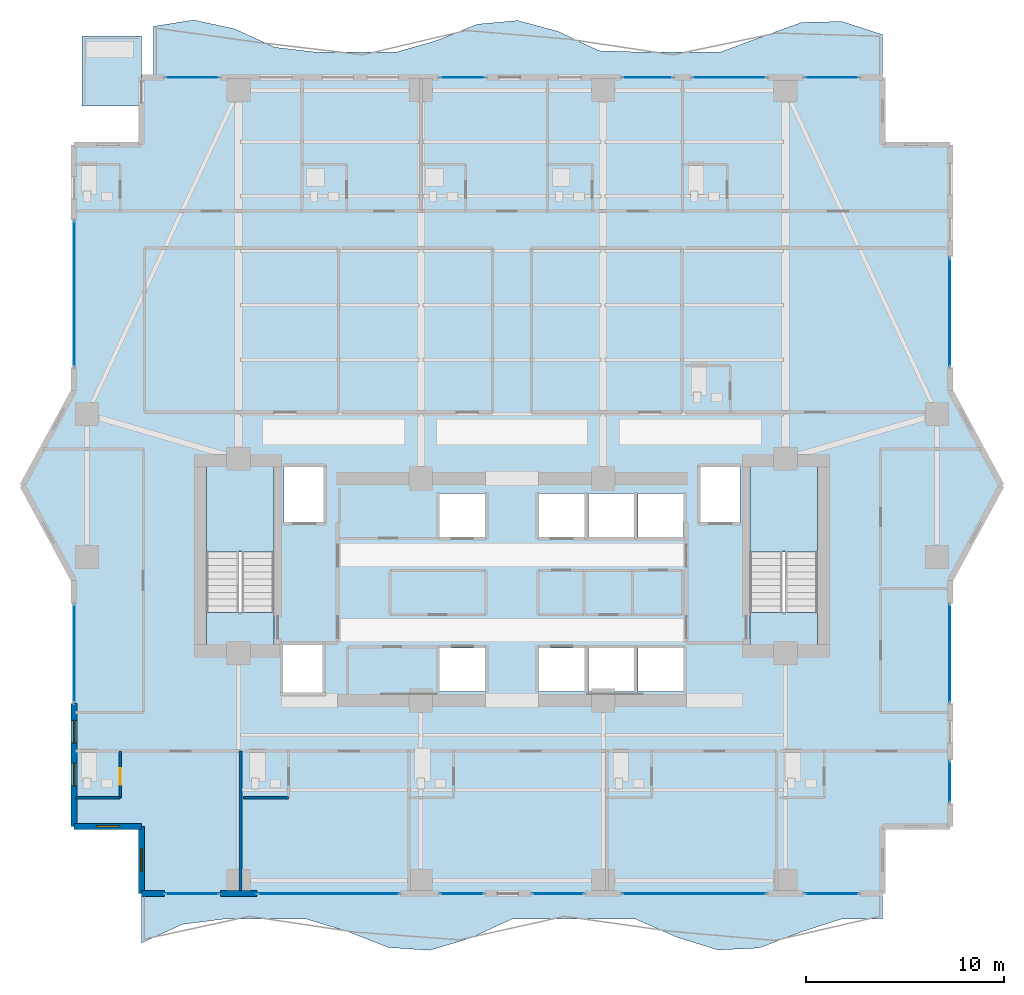
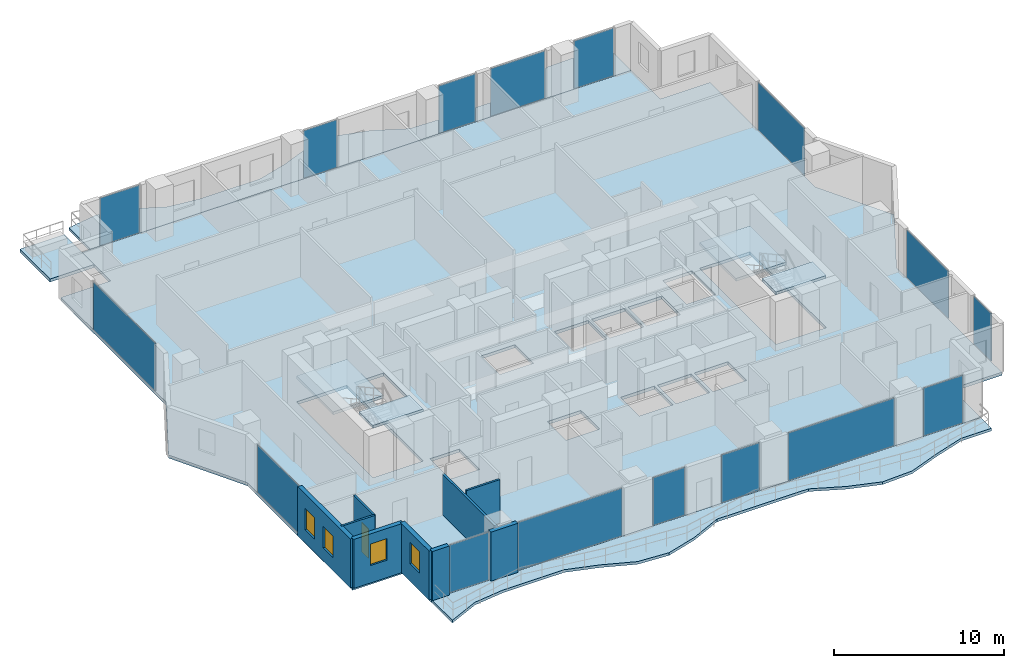
# One storey, part 23 of 32: 16 plates, 9 walls, 8 slabs, 4 windows, 1 door, 5 openings, 18 elements without a shape of their own.
"""IFC4 building model written with IfcOpenShell, lengths in metres."""

from ifc_helpers import new_model, si_unit, direction, frame, frame_2d, origin, origin_2d, place, context, subcontext, project, spatial, polyline, rectangle, outline, extrude, material, layer, layer_set, type_object, element, fill, aggregate, save


model = new_model("IFC4")

# Units and contexts
model_context = context("Model", 3, precision=1e-05, world=origin(), true_north=direction((0.0, 1.0)))
body_context = subcontext(model_context, "Body", "Model", "MODEL_VIEW")
ifc_project = project(units=[si_unit("LENGTHUNIT", "METRE"), si_unit("AREAUNIT", "SQUARE_METRE"), si_unit("VOLUMEUNIT", "CUBIC_METRE"), si_unit("PLANEANGLEUNIT", "RADIAN"), si_unit("MASSUNIT", "GRAM", prefix="KILO")], contexts=[model_context])

# Site, building, storey
site_placement = place(None, origin())
site = spatial("IfcSite", under=ifc_project, at=site_placement, CompositionType="ELEMENT")
building_placement = place(site_placement, origin())
building = spatial("IfcBuilding", under=site, at=building_placement, Name="Zuhayl Quay Hotel", CompositionType="ELEMENT")
storey_placement = place(building_placement, frame((0.0, 0.0, 177.39990234375)))
storey = spatial("IfcBuildingStorey", under=building, at=storey_placement, Name="L44", CompositionType="ELEMENT", Elevation=177.39990234375)

# Curtain wall, plate
ifc_material_1 = material(Name="Anodised Aluminium 6063-T6", Category="aluminium")
ifc_layer_1 = layer(ifc_material_1, 0.175048828125, Name="Anodised Aluminium 6063-T6", Category="aluminium")
ifc_layer_set_1 = layer_set([ifc_layer_1], Name="Anodised Aluminium 6063-T6")
curtain_wall_type = type_object("IfcCurtainWallType", Name="CW_SYS_Z3", PredefinedType="USERDEFINED", material=ifc_layer_set_1)
curtain_wall_1_placement = place(storey_placement, origin())
curtain_wall_1 = element("IfcCurtainWall", 1, at=curtain_wall_1_placement, inside=storey, type_object=curtain_wall_type, Name="L44 Curtain Wall ENV_L44_E02_CW1", ObjectType="UNITISED CURTAIN WALL", PredefinedType="USERDEFINED")
ifc_material_2 = material(Name="Dark Ceramic-Fritted Solar Glass", Category="glass")
ifc_layer_2 = layer(ifc_material_2, 0.0400390625, Name="Dark Ceramic-Fritted Solar Glass", Category="glass")
ifc_layer_set_2 = layer_set([ifc_layer_2], Name="Dark Ceramic-Fritted Solar Glass")
plate_type = type_object("IfcPlateType", Name="PN_OP_VENT_Z3", PredefinedType="CURTAIN_PANEL", material=ifc_layer_set_2)
plate_1_placement = place(storey_placement, frame((-22.10009765625, 4.52490234375, 0.05517578125), z_axis=(0.0, 0.0, 1.0), x_axis=(0.0, 1.0, 0.0)))
plate_1 = element("IfcPlate", 2, at=plate_1_placement, type_object=plate_type, Name="CW-Z3 panel 1.1", PredefinedType="CURTAIN_PANEL", context=body_context, shape_type="SweptSolid", body=[
    extrude(rectangle(XDim=4.919921875, YDim=0.0400390625, at=origin_2d()), origin(), (0.0, 0.0, 1.0), 3.419921875),
])
aggregate(curtain_wall_1, [plate_1])

curtain_wall_2_placement = place(storey_placement, origin())
curtain_wall_2 = element("IfcCurtainWall", 3, at=curtain_wall_2_placement, inside=storey, type_object=curtain_wall_type, Name="L44 Curtain Wall ENV_L44_E05_CW1", ObjectType="UNITISED CURTAIN WALL", PredefinedType="USERDEFINED")
plate_2_placement = place(storey_placement, frame((-22.10009765625, 22.675048828125, 0.05517578125), z_axis=(0.0, 0.0, 1.0), x_axis=(0.0, 1.0, 0.0)))
plate_2 = element("IfcPlate", 4, at=plate_2_placement, type_object=plate_type, Name="CW-Z3 panel 1.1", PredefinedType="CURTAIN_PANEL", context=body_context, shape_type="SweptSolid", body=[
    extrude(rectangle(XDim=7.320068359375, YDim=0.0400390625, at=origin_2d()), origin(), (0.0, 0.0, 1.0), 3.419921875),
])
aggregate(curtain_wall_2, [plate_2])

curtain_wall_3_placement = place(storey_placement, origin())
curtain_wall_3 = element("IfcCurtainWall", 5, at=curtain_wall_3_placement, inside=storey, type_object=curtain_wall_type, Name="L44 Curtain Wall ENV_L44_N_CW1", ObjectType="UNITISED CURTAIN WALL", PredefinedType="USERDEFINED")
plate_3_placement = place(storey_placement, frame((-16.135009765625, 33.60009765625, 0.05517578125), z_axis=(0.0, 0.0, 1.0), x_axis=(1.0, 0.0, 0.0)))
plate_3 = element("IfcPlate", 6, at=plate_3_placement, type_object=plate_type, Name="CW-Z3 panel 1.1", PredefinedType="CURTAIN_PANEL", context=body_context, shape_type="SweptSolid", body=[
    extrude(rectangle(XDim=2.699951171875, YDim=0.0400390625, at=origin_2d()), origin(), (0.0, 0.0, 1.0), 3.419921875),
])
aggregate(curtain_wall_3, [plate_3])

curtain_wall_4_placement = place(storey_placement, origin())
curtain_wall_4 = element("IfcCurtainWall", 7, at=curtain_wall_4_placement, inside=storey, type_object=curtain_wall_type, Name="L44 Curtain Wall ENV_L44_N_CW2", ObjectType="UNITISED CURTAIN WALL", PredefinedType="USERDEFINED")
plate_4_placement = place(storey_placement, frame((-2.487548828125, 33.60009765625, 0.05517578125), z_axis=(0.0, 0.0, 1.0), x_axis=(1.0, 0.0, 0.0)))
plate_4 = element("IfcPlate", 8, at=plate_4_placement, type_object=plate_type, Name="CW-Z3 panel 1.1", PredefinedType="CURTAIN_PANEL", context=body_context, shape_type="SweptSolid", body=[
    extrude(rectangle(XDim=2.2548828125, YDim=0.0400390625, at=origin_2d()), origin(), (0.0, 0.0, 1.0), 3.419921875),
])
aggregate(curtain_wall_4, [plate_4])

curtain_wall_5_placement = place(storey_placement, origin())
curtain_wall_5 = element("IfcCurtainWall", 9, at=curtain_wall_5_placement, inside=storey, type_object=curtain_wall_type, Name="L44 Curtain Wall ENV_L44_N_CW3", ObjectType="UNITISED CURTAIN WALL", PredefinedType="USERDEFINED")
plate_5_placement = place(storey_placement, frame((6.8349609375, 33.60009765625, 0.05517578125), z_axis=(0.0, 0.0, 1.0), x_axis=(1.0, 0.0, 0.0)))
plate_5 = element("IfcPlate", 10, at=plate_5_placement, type_object=plate_type, Name="CW-Z3 panel 1.1", PredefinedType="CURTAIN_PANEL", context=body_context, shape_type="SweptSolid", body=[
    extrude(rectangle(XDim=2.5, YDim=0.0400390625, at=origin_2d()), origin(), (0.0, 0.0, 1.0), 3.419921875),
])
aggregate(curtain_wall_5, [plate_5])

curtain_wall_6_placement = place(storey_placement, origin())
curtain_wall_6 = element("IfcCurtainWall", 11, at=curtain_wall_6_placement, inside=storey, type_object=curtain_wall_type, Name="L44 Curtain Wall ENV_L44_N_CW4", ObjectType="UNITISED CURTAIN WALL", PredefinedType="USERDEFINED")
plate_6_placement = place(storey_placement, frame((10.965087890625, 33.60009765625, 0.05517578125), z_axis=(0.0, 0.0, 1.0), x_axis=(1.0, 0.0, 0.0)))
plate_6 = element("IfcPlate", 12, at=plate_6_placement, type_object=plate_type, Name="CW-Z3 panel 1.1", PredefinedType="CURTAIN_PANEL", context=body_context, shape_type="SweptSolid", body=[
    extrude(rectangle(XDim=3.699951171875, YDim=0.0400390625, at=origin_2d()), origin(), (0.0, 0.0, 1.0), 3.419921875),
])
aggregate(curtain_wall_6, [plate_6])

curtain_wall_7_placement = place(storey_placement, origin())
curtain_wall_7 = element("IfcCurtainWall", 13, at=curtain_wall_7_placement, inside=storey, type_object=curtain_wall_type, Name="L44 Curtain Wall ENV_L44_N_CW5", ObjectType="UNITISED CURTAIN WALL", PredefinedType="USERDEFINED")
plate_7_placement = place(storey_placement, frame((16.135009765625, 33.60009765625, 0.05517578125), z_axis=(0.0, 0.0, 1.0), x_axis=(1.0, 0.0, 0.0)))
plate_7 = element("IfcPlate", 14, at=plate_7_placement, type_object=plate_type, Name="CW-Z3 panel 1.1", PredefinedType="CURTAIN_PANEL", context=body_context, shape_type="SweptSolid", body=[
    extrude(rectangle(XDim=2.699951171875, YDim=0.0400390625, at=origin_2d()), origin(), (0.0, 0.0, 1.0), 3.419921875),
])
aggregate(curtain_wall_7, [plate_7])

curtain_wall_8_placement = place(storey_placement, origin())
curtain_wall_8 = element("IfcCurtainWall", 15, at=curtain_wall_8_placement, inside=storey, type_object=curtain_wall_type, Name="L44 Curtain Wall ENV_L44_E11_CW1", ObjectType="UNITISED CURTAIN WALL", PredefinedType="USERDEFINED")
plate_8_placement = place(storey_placement, frame((22.10009765625, 21.75, 0.05517578125), z_axis=(0.0, 0.0, 1.0), x_axis=(0.0, -1.0, 0.0)))
plate_8 = element("IfcPlate", 16, at=plate_8_placement, type_object=plate_type, Name="CW-Z3 panel 1.1", PredefinedType="CURTAIN_PANEL", context=body_context, shape_type="SweptSolid", body=[
    extrude(rectangle(XDim=5.469970703125, YDim=0.0400390625, at=origin_2d()), origin(), (0.0, 0.0, 1.0), 3.419921875),
])
aggregate(curtain_wall_8, [plate_8])

curtain_wall_9_placement = place(storey_placement, origin())
curtain_wall_9 = element("IfcCurtainWall", 17, at=curtain_wall_9_placement, inside=storey, type_object=curtain_wall_type, Name="L44 Curtain Wall ENV_L44_E14_CW1", ObjectType="UNITISED CURTAIN WALL", PredefinedType="USERDEFINED")
plate_9_placement = place(storey_placement, frame((22.10009765625, 4.52490234375, 0.05517578125), z_axis=(0.0, 0.0, 1.0), x_axis=(0.0, -1.0, 0.0)))
plate_9 = element("IfcPlate", 18, at=plate_9_placement, type_object=plate_type, Name="CW-Z3 panel 1.1", PredefinedType="CURTAIN_PANEL", context=body_context, shape_type="SweptSolid", body=[
    extrude(rectangle(XDim=4.919921875, YDim=0.0400390625, at=origin_2d()), origin(), (0.0, 0.0, 1.0), 3.419921875),
])
aggregate(curtain_wall_9, [plate_9])

curtain_wall_10_placement = place(storey_placement, origin())
curtain_wall_10 = element("IfcCurtainWall", 19, at=curtain_wall_10_placement, inside=storey, type_object=curtain_wall_type, Name="L44 Curtain Wall ENV_L44_E14_CW2", ObjectType="UNITISED CURTAIN WALL", PredefinedType="USERDEFINED")
plate_10_placement = place(storey_placement, frame((22.10009765625, -1.949951171875, 0.05517578125), z_axis=(0.0, 0.0, 1.0), x_axis=(0.0, -1.0, 0.0)))
plate_10 = element("IfcPlate", 20, at=plate_10_placement, type_object=plate_type, Name="CW-Z3 panel 1.1", PredefinedType="CURTAIN_PANEL", context=body_context, shape_type="SweptSolid", body=[
    extrude(rectangle(XDim=2.070068359375, YDim=0.0400390625, at=origin_2d()), origin(), (0.0, 0.0, 1.0), 3.419921875),
])
aggregate(curtain_wall_10, [plate_10])

curtain_wall_11_placement = place(storey_placement, origin())
curtain_wall_11 = element("IfcCurtainWall", 21, at=curtain_wall_11_placement, inside=storey, type_object=curtain_wall_type, Name="L44 Curtain Wall ENV_L44_S_CW1", ObjectType="UNITISED CURTAIN WALL", PredefinedType="USERDEFINED")
plate_11_placement = place(storey_placement, frame((16.135009765625, -7.60009765625, 0.05517578125), z_axis=(0.0, 0.0, 1.0), x_axis=(-1.0, 0.0, 0.0)))
plate_11 = element("IfcPlate", 22, at=plate_11_placement, type_object=plate_type, Name="CW-Z3 panel 1.1", PredefinedType="CURTAIN_PANEL", context=body_context, shape_type="SweptSolid", body=[
    extrude(rectangle(XDim=2.699951171875, YDim=0.0400390625, at=origin_2d()), origin(), (0.0, 0.0, 1.0), 3.419921875),
])
aggregate(curtain_wall_11, [plate_11])

curtain_wall_12_placement = place(storey_placement, origin())
curtain_wall_12 = element("IfcCurtainWall", 23, at=curtain_wall_12_placement, inside=storey, type_object=curtain_wall_type, Name="L44 Curtain Wall ENV_L44_S_CW2", ObjectType="UNITISED CURTAIN WALL", PredefinedType="USERDEFINED")
plate_12_placement = place(storey_placement, frame((9.199951171875, -7.60009765625, 0.05517578125), z_axis=(0.0, 0.0, 1.0), x_axis=(-1.0, 0.0, 0.0)))
plate_12 = element("IfcPlate", 24, at=plate_12_placement, type_object=plate_type, Name="CW-Z3 panel 1.1", PredefinedType="CURTAIN_PANEL", context=body_context, shape_type="SweptSolid", body=[
    extrude(rectangle(XDim=7.22998046875, YDim=0.0400390625, at=origin_2d()), origin(), (0.0, 0.0, 1.0), 3.419921875),
])
aggregate(curtain_wall_12, [plate_12])

curtain_wall_13_placement = place(storey_placement, origin())
curtain_wall_13 = element("IfcCurtainWall", 25, at=curtain_wall_13_placement, inside=storey, type_object=curtain_wall_type, Name="L44 Curtain Wall ENV_L44_S_CW3", ObjectType="UNITISED CURTAIN WALL", PredefinedType="USERDEFINED")
plate_13_placement = place(storey_placement, frame((2.327392578125, -7.60009765625, 0.05517578125), z_axis=(0.0, 0.0, 1.0), x_axis=(-1.0, 0.0, 0.0)))
plate_13 = element("IfcPlate", 26, at=plate_13_placement, type_object=plate_type, Name="CW-Z3 panel 1.1", PredefinedType="CURTAIN_PANEL", context=body_context, shape_type="SweptSolid", body=[
    extrude(rectangle(XDim=2.574951171875, YDim=0.0400390625, at=origin_2d()), origin(), (0.0, 0.0, 1.0), 3.419921875),
])
aggregate(curtain_wall_13, [plate_13])

curtain_wall_14_placement = place(storey_placement, origin())
curtain_wall_14 = element("IfcCurtainWall", 27, at=curtain_wall_14_placement, inside=storey, type_object=curtain_wall_type, Name="L44 Curtain Wall ENV_L44_S_CW4", ObjectType="UNITISED CURTAIN WALL", PredefinedType="USERDEFINED")
plate_14_placement = place(storey_placement, frame((-2.527587890625, -7.60009765625, 0.05517578125), z_axis=(0.0, 0.0, 1.0), x_axis=(-1.0, 0.0, 0.0)))
plate_14 = element("IfcPlate", 28, at=plate_14_placement, type_object=plate_type, Name="CW-Z3 panel 1.1", PredefinedType="CURTAIN_PANEL", context=body_context, shape_type="SweptSolid", body=[
    extrude(rectangle(XDim=2.175048828125, YDim=0.0400390625, at=origin_2d()), origin(), (0.0, 0.0, 1.0), 3.419921875),
])
aggregate(curtain_wall_14, [plate_14])

curtain_wall_15_placement = place(storey_placement, origin())
curtain_wall_15 = element("IfcCurtainWall", 29, at=curtain_wall_15_placement, inside=storey, type_object=curtain_wall_type, Name="L44 Curtain Wall ENV_L44_S_CW5", ObjectType="UNITISED CURTAIN WALL", PredefinedType="USERDEFINED")
plate_15_placement = place(storey_placement, frame((-9.264892578125, -7.60009765625, 0.05517578125), z_axis=(0.0, 0.0, 1.0), x_axis=(-1.0, 0.0, 0.0)))
plate_15 = element("IfcPlate", 30, at=plate_15_placement, type_object=plate_type, Name="CW-Z3 panel 1.1", PredefinedType="CURTAIN_PANEL", context=body_context, shape_type="SweptSolid", body=[
    extrude(rectangle(XDim=7.10009765625, YDim=0.0400390625, at=origin_2d()), origin(), (0.0, 0.0, 1.0), 3.419921875),
])
aggregate(curtain_wall_15, [plate_15])

curtain_wall_16_placement = place(storey_placement, origin())
curtain_wall_16 = element("IfcCurtainWall", 31, at=curtain_wall_16_placement, inside=storey, type_object=curtain_wall_type, Name="L44 Curtain Wall ENV_L44_S_CW6", ObjectType="UNITISED CURTAIN WALL", PredefinedType="USERDEFINED")
plate_16_placement = place(storey_placement, frame((-16.135009765625, -7.60009765625, 0.05517578125), z_axis=(0.0, 0.0, 1.0), x_axis=(-1.0, 0.0, 0.0)))
plate_16 = element("IfcPlate", 32, at=plate_16_placement, type_object=plate_type, Name="CW-Z3 panel 1.1", PredefinedType="CURTAIN_PANEL", context=body_context, shape_type="SweptSolid", body=[
    extrude(rectangle(XDim=2.699951171875, YDim=0.0400390625, at=origin_2d()), origin(), (0.0, 0.0, 1.0), 3.419921875),
])
aggregate(curtain_wall_16, [plate_16])

# Slabs
ifc_material_3 = material(Name="Concrete C45/55", Category="concrete")
ifc_layer_3 = layer(ifc_material_3, 0.195068359375, Name="Concrete C45/55", Category="concrete")
ifc_layer_set_3 = layer_set([ifc_layer_3], Name="Concrete C45/55")
slab_type_1 = type_object("IfcSlabType", Name="SL_BALCONY_195", PredefinedType="FLOOR", material=ifc_layer_set_3)
slab_1_placement = place(storey_placement, frame((0.0, 0.0, -0.19482421875)))
element("IfcSlab", 33, at=slab_1_placement, inside=storey, type_object=slab_type_1, Name="L44 Exterior Rippling Balcony Slab North", PredefinedType="FLOOR", context=body_context, shape_type="SweptSolid", body=[
    extrude(outline(polyline([(-18.10009765625, 33.60009765625), (18.699951171875, 33.60009765625), (18.699951171875, 35.75830078125), (16.655517578125, 36.424560546875), (14.611083984375, 36.37353515625), (12.566650390625, 35.63623046875), (10.522216796875, 34.8798828125), (8.477783203125, 34.8798828125), (6.433349609375, 34.8798828125), (4.388916015625, 34.947509765625), (2.344482421875, 35.912353515625), (0.300048828125, 36.47265625), (-1.744384765625, 36.286376953125), (-3.788818359375, 35.467041015625), (-5.833251953125, 34.8798828125), (-7.877685546875, 34.8798828125), (-9.922119140625, 34.8798828125), (-11.966796875, 35.119384765625), (-14.010986328125, 36.053466796875), (-16.0556640625, 36.4970703125), (-18.10009765625, 36.178955078125), (-18.10009765625, 33.60009765625)])), origin(), (0.0, 0.0, 1.0), 0.19482421875),
])
slab_2_placement = place(storey_placement, frame((0.0, 0.0, -0.19482421875)))
element("IfcSlab", 34, at=slab_2_placement, inside=storey, type_object=slab_type_1, Name="L44 Exterior Rippling Balcony Slab South", PredefinedType="FLOOR", context=body_context, shape_type="SweptSolid", body=[
    extrude(outline(polyline([(-18.699951171875, -10.08642578125), (-16.622314453125, -9.146484375), (-14.54443359375, -8.8798828125), (-12.466796875, -8.8798828125), (-10.388916015625, -8.8798828125), (-8.31103515625, -9.504638671875), (-6.2333984375, -10.31591796875), (-4.155517578125, -10.4560546875), (-2.077880859375, -9.8369140625), (0.0, -8.8798828125), (2.077880859375, -8.8798828125), (4.155517578125, -8.8798828125), (6.2333984375, -8.8798828125), (8.31103515625, -9.793212890625), (10.388916015625, -10.442138671875), (12.466796875, -10.340576171875), (14.54443359375, -9.552490234375), (16.622314453125, -8.8798828125), (18.699951171875, -8.8798828125), (18.699951171875, -7.60009765625), (-18.699951171875, -7.60009765625), (-18.699951171875, -10.08642578125)])), origin(), (0.0, 0.0, 1.0), 0.19482421875),
])
ifc_layer_4 = layer(ifc_material_3, 0.219970703125, Name="Concrete C45/55", Category="concrete")
ifc_layer_set_4 = layer_set([ifc_layer_4], Name="Concrete C45/55")
slab_type_2 = type_object("IfcSlabType", Name="SL_FLOOR_220", PredefinedType="FLOOR", material=ifc_layer_set_4)
slab_3_placement = place(storey_placement, frame((0.0, 0.0, -0.219970703125)))
element("IfcSlab", 35, at=slab_3_placement, inside=storey, type_object=slab_type_2, Name="L44 Structural Floor Slab", PredefinedType="FLOOR", context=body_context, shape_type="SweptSolid", body=[
    extrude(outline(polyline([(-18.699951171875, -7.60009765625), (18.699951171875, -7.60009765625), (18.699951171875, -4.199951171875), (22.10009765625, -4.199951171875), (22.10009765625, 8.199951171875), (24.699951171875, 13.0), (22.10009765625, 17.800048828125), (22.10009765625, 30.199951171875), (18.699951171875, 30.199951171875), (18.699951171875, 33.60009765625), (-18.699951171875, 33.60009765625), (-18.699951171875, 30.199951171875), (-22.10009765625, 30.199951171875), (-22.10009765625, 17.800048828125), (-24.699951171875, 13.0), (-22.10009765625, 8.199951171875), (-22.10009765625, -4.199951171875), (-18.699951171875, -4.199951171875), (-18.699951171875, -7.60009765625)]), holes=[polyline([(-12.0, 4.949951171875), (-12.0, 13.949951171875), (-15.429931640625, 13.949951171875), (-15.429931640625, 4.949951171875), (-12.0, 4.949951171875)]), polyline([(15.429931640625, 4.949951171875), (15.429931640625, 13.949951171875), (12.0, 13.949951171875), (12.0, 4.949951171875), (15.429931640625, 4.949951171875)]), polyline([(-11.5, 11.14990234375), (-9.5, 11.14990234375), (-9.5, 13.949951171875), (-11.5, 13.949951171875), (-11.5, 11.14990234375)]), polyline([(9.5, 11.14990234375), (11.5, 11.14990234375), (11.5, 13.949951171875), (9.5, 13.949951171875), (9.5, 11.14990234375)]), polyline([(-3.64990234375, 2.60009765625), (-1.35009765625, 2.60009765625), (-1.35009765625, 4.800048828125), (-3.64990234375, 4.800048828125), (-3.64990234375, 2.60009765625)]), polyline([(1.35009765625, 2.60009765625), (3.64990234375, 2.60009765625), (3.64990234375, 4.800048828125), (1.35009765625, 4.800048828125), (1.35009765625, 2.60009765625)]), polyline([(-3.64990234375, 10.39990234375), (-1.35009765625, 10.39990234375), (-1.35009765625, 12.60009765625), (-3.64990234375, 12.60009765625), (-3.64990234375, 10.39990234375)]), polyline([(1.35009765625, 10.39990234375), (3.64990234375, 10.39990234375), (3.64990234375, 12.60009765625), (1.35009765625, 12.60009765625), (1.35009765625, 10.39990234375)]), polyline([(3.85009765625, 2.60009765625), (6.14990234375, 2.60009765625), (6.14990234375, 4.800048828125), (3.85009765625, 4.800048828125), (3.85009765625, 2.60009765625)]), polyline([(6.35009765625, 2.60009765625), (8.64990234375, 2.60009765625), (8.64990234375, 4.800048828125), (6.35009765625, 4.800048828125), (6.35009765625, 2.60009765625)]), polyline([(3.85009765625, 10.39990234375), (6.14990234375, 10.39990234375), (6.14990234375, 12.60009765625), (3.85009765625, 12.60009765625), (3.85009765625, 10.39990234375)]), polyline([(6.35009765625, 10.39990234375), (8.64990234375, 10.39990234375), (8.64990234375, 12.60009765625), (6.35009765625, 12.60009765625), (6.35009765625, 10.39990234375)]), polyline([(-11.550048828125, 2.550048828125), (-9.550048828125, 2.550048828125), (-9.550048828125, 4.949951171875), (-11.550048828125, 4.949951171875), (-11.550048828125, 2.550048828125)])]), origin(), (0.0, 0.0, 1.0), 0.219970703125),
])

# Stair, slabs
stair_type = type_object("IfcStairType", Name="ST_DOGLEG_TOWER", PredefinedType="HALF_TURN_STAIR", material=ifc_material_3)
stair_1_placement = place(storey_placement, origin())
stair_1 = element("IfcStair", 36, at=stair_1_placement, inside=storey, type_object=stair_type, Name="L44 Smokeproof Exit Stair ST1", PredefinedType="HALF_TURN_STAIR")
ifc_layer_5 = layer(ifc_material_3, 0.199951171875, Name="Concrete C45/55", Category="concrete")
ifc_layer_set_5 = layer_set([ifc_layer_5], Name="Concrete C45/55")
slab_type_3 = type_object("IfcSlabType", Name="SL_STAIR_LANDING_200", PredefinedType="LANDING", material=ifc_layer_set_5)
slab_4_placement = place(storey_placement, frame((0.0, 0.0, 1.675048828125)))
slab_4 = element("IfcSlab", 37, at=slab_4_placement, type_object=slab_type_3, Name="ST1 landing 1", PredefinedType="LANDING", context=body_context, shape_type="SweptSolid", body=[
    extrude(outline(polyline([(-12.0, 9.64990234375), (-12.0, 13.949951171875), (-15.429931640625, 13.949951171875), (-15.429931640625, 9.64990234375), (-12.0, 9.64990234375)])), origin(), (0.0, 0.0, 1.0), 0.199951171875),
])
slab_5_placement = place(storey_placement, frame((0.0, 0.0, 3.550048828125)))
slab_5 = element("IfcSlab", 38, at=slab_5_placement, type_object=slab_type_3, Name="ST1 landing 2", PredefinedType="LANDING", context=body_context, shape_type="SweptSolid", body=[
    extrude(outline(polyline([(-12.0, 4.949951171875), (-12.0, 6.590087890625), (-15.429931640625, 6.590087890625), (-15.429931640625, 4.949951171875), (-12.0, 4.949951171875)])), origin(), (0.0, 0.0, 1.0), 0.199951171875),
])
aggregate(stair_1, [slab_4, slab_5])

stair_2_placement = place(storey_placement, origin())
stair_2 = element("IfcStair", 39, at=stair_2_placement, inside=storey, type_object=stair_type, Name="L44 Smokeproof Exit Stair ST2", PredefinedType="HALF_TURN_STAIR")
slab_6_placement = place(storey_placement, frame((0.0, 0.0, 1.675048828125)))
slab_6 = element("IfcSlab", 40, at=slab_6_placement, type_object=slab_type_3, Name="ST2 landing 1", PredefinedType="LANDING", context=body_context, shape_type="SweptSolid", body=[
    extrude(outline(polyline([(15.429931640625, 9.64990234375), (15.429931640625, 13.949951171875), (12.0, 13.949951171875), (12.0, 9.64990234375), (15.429931640625, 9.64990234375)])), origin(), (0.0, 0.0, 1.0), 0.199951171875),
])
slab_7_placement = place(storey_placement, frame((0.0, 0.0, 3.550048828125)))
slab_7 = element("IfcSlab", 41, at=slab_7_placement, type_object=slab_type_3, Name="ST2 landing 2", PredefinedType="LANDING", context=body_context, shape_type="SweptSolid", body=[
    extrude(outline(polyline([(15.429931640625, 4.949951171875), (15.429931640625, 6.590087890625), (12.0, 6.590087890625), (12.0, 4.949951171875), (15.429931640625, 4.949951171875)])), origin(), (0.0, 0.0, 1.0), 0.199951171875),
])
aggregate(stair_2, [slab_6, slab_7])

# Slab
ifc_layer_6 = layer(ifc_material_3, 0.219970703125, Name="Concrete C45/55", Category="concrete")
ifc_layer_set_6 = layer_set([ifc_layer_6], Name="Concrete C45/55")
slab_type_4 = type_object("IfcSlabType", Name="SL_TERRACE_235", PredefinedType="FLOOR", material=ifc_layer_set_6)
slab_8_placement = place(storey_placement, frame((0.0, 0.0, -0.219970703125)))
element("IfcSlab", 42, at=slab_8_placement, inside=storey, type_object=slab_type_4, Name="L44 Exterior Sky-Terrace Slab L44_SPIRAL_NW", PredefinedType="FLOOR", context=body_context, shape_type="SweptSolid", body=[
    extrude(outline(polyline([(-21.699951171875, 32.14990234375), (-18.699951171875, 32.14990234375), (-18.699951171875, 35.699951171875), (-21.699951171875, 35.699951171875), (-21.699951171875, 32.14990234375)])), origin(), (0.0, 0.0, 1.0), 0.219970703125),
])

# Wall, opening, window
ifc_material_4 = material(Name="Precast concrete C45/55", Category="concrete")
ifc_layer_7 = layer(ifc_material_4, 0.300048828125, Name="Precast concrete C45/55", Category="concrete")
ifc_layer_set_7 = layer_set([ifc_layer_7], Name="Precast concrete C45/55")
wall_type_1 = type_object("IfcWallType", Name="WL_EXT_300", PredefinedType="STANDARD", material=ifc_layer_set_7)
wall_1_placement = place(storey_placement, frame((-18.699951171875, -4.199951171875, 0.0), z_axis=(0.0, 0.0, 1.0), x_axis=(-1.0, 0.0, 0.0)))
wall_1 = element("IfcWall", 43, at=wall_1_placement, inside=storey, type_object=wall_type_1, Name="L44 Exterior Precast Wall ENV_L44_EW01", PredefinedType="STANDARD", context=body_context, shape_type="SweptSolid", body=[
    extrude(rectangle(XDim=3.400146484375, YDim=0.300048828125, at=frame_2d((1.7001953125, 0.0))), origin(), (0.0, 0.0, 1.0), 3.530029296875),
])
opening_1_placement = place(wall_1_placement, frame((1.125, 0.0, 1.25)))
opening_1 = element("IfcOpeningElement", 44, at=opening_1_placement, cuts=wall_1, Name="Opening W01N", PredefinedType="OPENING", context=body_context, shape_type="SweptSolid", body=[
    extrude(rectangle(XDim=1.14990234375, YDim=1.550048828125, at=frame_2d((0.574951171875, 0.77490234375))), frame((0.0, 0.159912109375, 0.0), z_axis=(0.0, -1.0, 0.0), x_axis=(1.0, 0.0, 0.0)), (0.0, 0.0, 1.0), 0.320068359375),
])
window_type = type_object("IfcWindowType", Name="WN_NOTCH_1350", PartitioningType="SINGLE_PANEL", PredefinedType="WINDOW", material=ifc_material_2)
window_1_placement = place(opening_1_placement, origin())
window_1 = element("IfcWindow", 45, at=window_1_placement, inside=storey, type_object=window_type, Name="L44 Corner Notch Window 1", OverallHeight=1.550048828125, OverallWidth=1.14990234375, PartitioningType="SINGLE_PANEL", PredefinedType="WINDOW", context=body_context, shape_type="SweptSolid", body=[
    extrude(rectangle(XDim=1.14990234375, YDim=1.550048828125, at=frame_2d((0.574951171875, 0.77490234375))), frame((0.0, 0.030029296875, 0.0), z_axis=(0.0, -1.0, 0.0), x_axis=(1.0, 0.0, 0.0)), (0.0, 0.0, 1.0), 0.06005859375),
])
fill(opening_1, window_1)

# Wall, openings, windows
wall_2_placement = place(storey_placement, frame((-22.10009765625, -4.199951171875, 0.0), z_axis=(0.0, 0.0, 1.0), x_axis=(0.0, 1.0, 0.0)))
wall_2 = element("IfcWall", 46, at=wall_2_placement, inside=storey, type_object=wall_type_1, Name="L44 Exterior Precast Wall ENV_L44_E02_EW1", PredefinedType="STANDARD", context=body_context, shape_type="SweptSolid", body=[
    extrude(rectangle(XDim=6.199951171875, YDim=0.300048828125, at=frame_2d((3.10009765625, 0.0))), origin(), (0.0, 0.0, 1.0), 3.530029296875),
])
opening_2_placement = place(wall_2_placement, frame((2.044921875, 0.0, 0.949951171875)))
opening_2 = element("IfcOpeningElement", 47, at=opening_2_placement, cuts=wall_2, Name="Opening W01N", PredefinedType="OPENING", context=body_context, shape_type="SweptSolid", body=[
    extrude(rectangle(XDim=1.14990234375, YDim=1.550048828125, at=frame_2d((0.574951171875, 0.77490234375))), frame((0.0, 0.159912109375, 0.0), z_axis=(0.0, -1.0, 0.0), x_axis=(1.0, 0.0, 0.0)), (0.0, 0.0, 1.0), 0.320068359375),
])
opening_3_placement = place(wall_2_placement, frame((4.199951171875, 0.0, 0.949951171875)))
opening_3 = element("IfcOpeningElement", 48, at=opening_3_placement, cuts=wall_2, Name="Opening W01N", PredefinedType="OPENING", context=body_context, shape_type="SweptSolid", body=[
    extrude(rectangle(XDim=1.14990234375, YDim=1.550048828125, at=frame_2d((0.574951171875, 0.77490234375))), frame((0.0, 0.159912109375, 0.0), z_axis=(0.0, -1.0, 0.0), x_axis=(1.0, 0.0, 0.0)), (0.0, 0.0, 1.0), 0.320068359375),
])
window_2_placement = place(opening_2_placement, origin())
window_2 = element("IfcWindow", 49, at=window_2_placement, inside=storey, type_object=window_type, Name="L44 Operable Facade Window 1-1", OverallHeight=1.550048828125, OverallWidth=1.14990234375, PartitioningType="SINGLE_PANEL", PredefinedType="WINDOW", context=body_context, shape_type="SweptSolid", body=[
    extrude(rectangle(XDim=1.14990234375, YDim=1.550048828125, at=frame_2d((0.574951171875, 0.77490234375))), frame((0.0, 0.030029296875, 0.0), z_axis=(0.0, -1.0, 0.0), x_axis=(1.0, 0.0, 0.0)), (0.0, 0.0, 1.0), 0.06005859375),
])
fill(opening_2, window_2)
window_3_placement = place(opening_3_placement, origin())
window_3 = element("IfcWindow", 50, at=window_3_placement, inside=storey, type_object=window_type, Name="L44 Operable Facade Window 1-2", OverallHeight=1.550048828125, OverallWidth=1.14990234375, PartitioningType="SINGLE_PANEL", PredefinedType="WINDOW", context=body_context, shape_type="SweptSolid", body=[
    extrude(rectangle(XDim=1.14990234375, YDim=1.550048828125, at=frame_2d((0.574951171875, 0.77490234375))), frame((0.0, 0.030029296875, 0.0), z_axis=(0.0, -1.0, 0.0), x_axis=(1.0, 0.0, 0.0)), (0.0, 0.0, 1.0), 0.06005859375),
])
fill(opening_3, window_3)

# Walls
wall_3_placement = place(storey_placement, frame((-12.8798828125, -7.60009765625, 0.0), z_axis=(0.0, 0.0, 1.0), x_axis=(-1.0, 0.0, 0.0)))
element("IfcWall", 51, at=wall_3_placement, inside=storey, type_object=wall_type_1, Name="L44 Exterior Precast Wall ENV_L44_S_EW6", PredefinedType="STANDARD", context=body_context, shape_type="SweptSolid", body=[
    extrude(rectangle(XDim=1.840087890625, YDim=0.300048828125, at=frame_2d((0.919921875, 0.0))), origin(), (0.0, 0.0, 1.0), 3.530029296875),
])
wall_4_placement = place(storey_placement, frame((-17.550048828125, -7.60009765625, 0.0), z_axis=(0.0, 0.0, 1.0), x_axis=(-1.0, 0.0, 0.0)))
element("IfcWall", 52, at=wall_4_placement, inside=storey, type_object=wall_type_1, Name="L44 Exterior Precast Wall ENV_L44_S_EW7", PredefinedType="STANDARD", context=body_context, shape_type="SweptSolid", body=[
    extrude(rectangle(XDim=1.14990234375, YDim=0.300048828125, at=frame_2d((0.574951171875, 0.0))), origin(), (0.0, 0.0, 1.0), 3.530029296875),
])

# Wall, opening, window
wall_5_placement = place(storey_placement, frame((-18.699951171875, -7.60009765625, 0.0), z_axis=(0.0, 0.0, 1.0), x_axis=(0.0, 1.0, 0.0)))
wall_5 = element("IfcWall", 53, at=wall_5_placement, inside=storey, type_object=wall_type_1, Name="L44 Exterior Precast Wall ENV_L44_EW18", PredefinedType="STANDARD", context=body_context, shape_type="SweptSolid", body=[
    extrude(rectangle(XDim=3.400146484375, YDim=0.300048828125, at=frame_2d((1.7001953125, 0.0))), origin(), (0.0, 0.0, 1.0), 3.530029296875),
])
opening_4_placement = place(wall_5_placement, frame((1.125, 0.0, 1.25)))
opening_4 = element("IfcOpeningElement", 54, at=opening_4_placement, cuts=wall_5, Name="Opening W01N", PredefinedType="OPENING", context=body_context, shape_type="SweptSolid", body=[
    extrude(rectangle(XDim=1.14990234375, YDim=1.550048828125, at=frame_2d((0.574951171875, 0.77490234375))), frame((0.0, 0.159912109375, 0.0), z_axis=(0.0, -1.0, 0.0), x_axis=(1.0, 0.0, 0.0)), (0.0, 0.0, 1.0), 0.320068359375),
])
window_4_placement = place(opening_4_placement, origin())
window_4 = element("IfcWindow", 55, at=window_4_placement, inside=storey, type_object=window_type, Name="L44 Corner Notch Window 18", OverallHeight=1.550048828125, OverallWidth=1.14990234375, PartitioningType="SINGLE_PANEL", PredefinedType="WINDOW", context=body_context, shape_type="SweptSolid", body=[
    extrude(rectangle(XDim=1.14990234375, YDim=1.550048828125, at=frame_2d((0.574951171875, 0.77490234375))), frame((0.0, 0.030029296875, 0.0), z_axis=(0.0, -1.0, 0.0), x_axis=(1.0, 0.0, 0.0)), (0.0, 0.0, 1.0), 0.06005859375),
])
fill(opening_4, window_4)

# Wall
ifc_material_5 = material(Name="Acoustic Gypsum Partition STC-58")
ifc_layer_8 = layer(ifc_material_5, 0.14990234375, Name="Acoustic Gypsum Partition STC-58")
ifc_layer_set_8 = layer_set([ifc_layer_8], Name="Acoustic Gypsum Partition STC-58")
wall_type_2 = type_object("IfcWallType", Name="WL_PART_150", PredefinedType="PARTITIONING", material=ifc_layer_set_8)
wall_6_placement = place(storey_placement, frame((-13.699951171875, -7.52001953125, 0.0), z_axis=(0.0, 0.0, 1.0), x_axis=(0.0, 1.0, 0.0)))
element("IfcWall", 56, at=wall_6_placement, inside=storey, type_object=wall_type_2, Name="L44 Partition IW_L44_SU01A_E", PredefinedType="PARTITIONING", context=body_context, shape_type="SweptSolid", body=[
    extrude(rectangle(XDim=7.1201171875, YDim=0.14990234375, at=frame_2d((3.56005859375, 0.0))), origin(), (0.0, 0.0, 1.0), 2.923095703125),
])

# Wall, opening, door
ifc_material_6 = material(Name="Moisture-Resistant Sanitarychase Gypsum")
ifc_layer_9 = layer(ifc_material_6, 0.135009765625, Name="Moisture-Resistant Sanitarychase Gypsum")
ifc_layer_set_9 = layer_set([ifc_layer_9], Name="Moisture-Resistant Sanitarychase Gypsum")
wall_type_3 = type_object("IfcWallType", Name="WL_PART_PLUMB_150", PredefinedType="PLUMBINGWALL", material=ifc_layer_set_9)
wall_7_placement = place(storey_placement, frame((-19.780029296875, -2.760009765625, 0.0), z_axis=(0.0, 0.0, 1.0), x_axis=(0.0, 1.0, 0.0)))
wall_7 = element("IfcWall", 57, at=wall_7_placement, inside=storey, type_object=wall_type_3, Name="L44 Partition IW_L44_SU01A_BE", PredefinedType="PLUMBINGWALL", context=body_context, shape_type="SweptSolid", body=[
    extrude(rectangle(XDim=2.360107421875, YDim=0.135009765625, at=frame_2d((1.18017578125, 0.0))), origin(), (0.0, 0.0, 1.0), 3.530029296875),
])
opening_5_placement = place(wall_7_placement, frame((0.64990234375, 0.0, 0.0)))
opening_5 = element("IfcOpeningElement", 58, at=opening_5_placement, cuts=wall_7, Name="Opening D04", PredefinedType="OPENING", context=body_context, shape_type="SweptSolid", body=[
    extrude(rectangle(XDim=0.85009765625, YDim=2.10009765625, at=frame_2d((0.425048828125, 1.050048828125))), frame((0.0, 0.077392578125, 0.0), z_axis=(0.0, -1.0, 0.0), x_axis=(1.0, 0.0, 0.0)), (0.0, 0.0, 1.0), 0.155029296875),
])
ifc_material_7 = material(Name="Moisture-Resistant Walnut Veneer")
door_type = type_object("IfcDoorType", Name="DR_BATH_850", OperationType="NOTDEFINED", PredefinedType="DOOR", material=ifc_material_7)
door_placement = place(opening_5_placement, origin())
door = element("IfcDoor", 59, at=door_placement, inside=storey, type_object=door_type, Name="L44 City-View Junior Suite L44-01A En-Suite Door", OperationType="SINGLE_SWING_LEFT", OverallHeight=2.10009765625, OverallWidth=0.85009765625, PredefinedType="DOOR", context=body_context, shape_type="SweptSolid", body=[
    extrude(rectangle(XDim=0.85009765625, YDim=2.10009765625, at=frame_2d((0.425048828125, 1.050048828125))), frame((0.0, 0.02490234375, 0.0), z_axis=(0.0, -1.0, 0.0), x_axis=(1.0, 0.0, 0.0)), (0.0, 0.0, 1.0), 0.050048828125),
])
fill(opening_5, door)

# Walls
wall_8_placement = place(storey_placement, frame((-22.0400390625, -2.760009765625, 0.0), z_axis=(0.0, 0.0, 1.0), x_axis=(1.0, 0.0, 0.0)))
element("IfcWall", 60, at=wall_8_placement, inside=storey, type_object=wall_type_3, Name="L44 Partition IW_L44_SU01A_BS", PredefinedType="PLUMBINGWALL", context=body_context, shape_type="SweptSolid", body=[
    extrude(rectangle(XDim=2.260009765625, YDim=0.135009765625, at=frame_2d((1.1298828125, 0.0))), origin(), (0.0, 0.0, 1.0), 3.530029296875),
])
wall_9_placement = place(storey_placement, frame((-13.5400390625, -2.760009765625, 0.0), z_axis=(0.0, 0.0, 1.0), x_axis=(1.0, 0.0, 0.0)))
element("IfcWall", 61, at=wall_9_placement, inside=storey, type_object=wall_type_3, Name="L44 Partition IW_L44_SU01B_BS", PredefinedType="PLUMBINGWALL", context=body_context, shape_type="SweptSolid", body=[
    extrude(rectangle(XDim=2.260009765625, YDim=0.135009765625, at=frame_2d((1.1298828125, 0.0))), origin(), (0.0, 0.0, 1.0), 3.1240234375),
])

save(model, "model.ifc")
